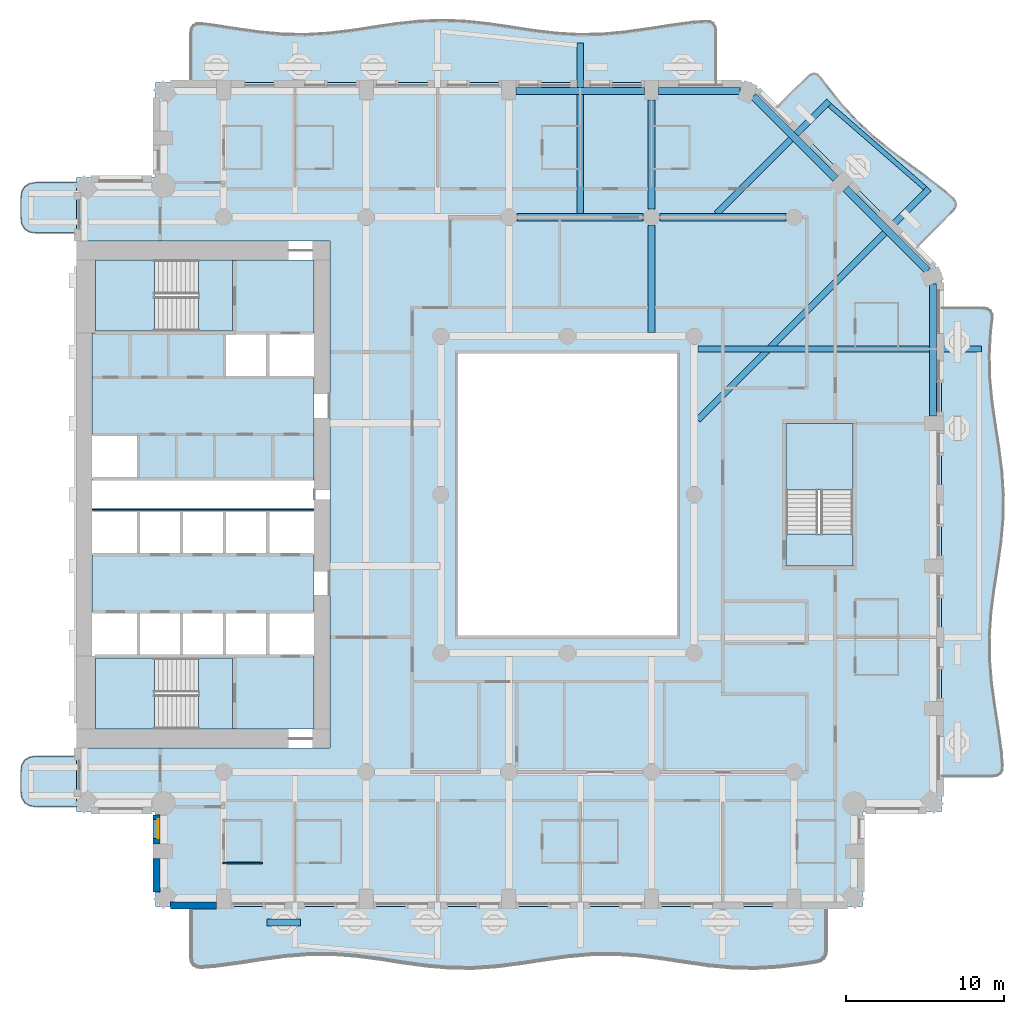
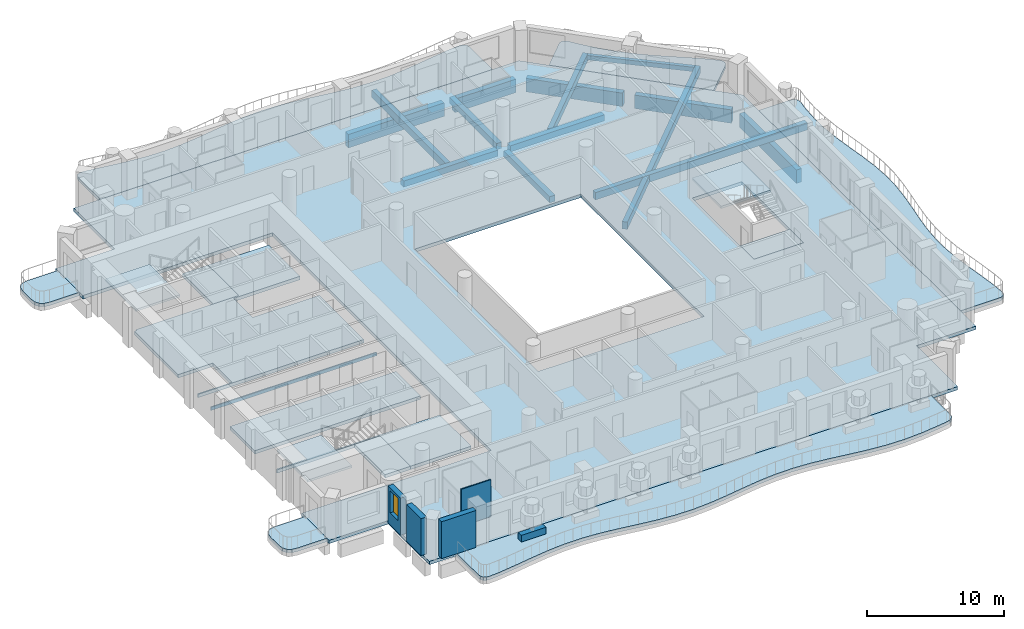
# One storey, part 2 of 20: 17 slabs, 14 beams, 5 walls, 1 window, 1 opening, 3 elements without a shape of their own.
"""IFC4 building model written with IfcOpenShell, lengths in metres."""

from ifc_helpers import new_model, si_unit, direction, frame, frame_2d, origin, origin_2d, place, context, subcontext, project, spatial, polyline, rectangle, outline, extrude, material, layer, layer_set, material_profile, profile_set, type_object, element, fill, aggregate, save


model = new_model("IFC4")

# Units and contexts
model_context = context("Model", 3, precision=1e-05, world=origin(), true_north=direction((0.0, 1.0)))
body_context = subcontext(model_context, "Body", "Model", "MODEL_VIEW")
ifc_project = project(units=[si_unit("LENGTHUNIT", "METRE"), si_unit("AREAUNIT", "SQUARE_METRE"), si_unit("VOLUMEUNIT", "CUBIC_METRE"), si_unit("PLANEANGLEUNIT", "RADIAN"), si_unit("MASSUNIT", "GRAM", prefix="KILO")], contexts=[model_context])

# Site, building, storey
site_placement = place(None, origin())
site = spatial("IfcSite", under=ifc_project, at=site_placement, CompositionType="ELEMENT")
building_placement = place(site_placement, origin())
building = spatial("IfcBuilding", under=site, at=building_placement, Name="Cypress Arch Tower", CompositionType="ELEMENT")
storey_placement = place(building_placement, frame((0.0, 0.0, 120.300048828125)))
storey = spatial("IfcBuildingStorey", under=building, at=storey_placement, Name="L25", CompositionType="ELEMENT", Elevation=120.300048828125)

# Beams
ifc_material_1 = material(Name="Concrete C50/60", Category="concrete")
ifc_material_profile_1 = material_profile(ifc_material_1, rectangle(XDim=0.300048828125, YDim=0.39990234375, at=origin_2d()), Name="RC 300x400")
ifc_profile_set_1 = profile_set([ifc_material_profile_1], Name="Concrete C50/60")
beam_type_1 = type_object("IfcBeamType", Name="Balcony edge beam RC 300x400 Concrete C50/60", PredefinedType="BEAM", material=ifc_profile_set_1)
beam_1_placement = place(storey_placement, frame((23.56689453125, 19.337646484375, -0.5), z_axis=(-0.755110430218, 0.655597619105, 0.0), x_axis=(-0.655597619105, -0.755110430218, 0.0)))
element("IfcBeam", 1, at=beam_1_placement, inside=storey, type_object=beam_type_1, Name="Balcony edge beam L25 A07", PredefinedType="BEAM", context=body_context, shape_type="SweptSolid", body=[
    extrude(rectangle(XDim=0.300048828125, YDim=0.39990234375, at=origin_2d()), origin(), (0.0, 0.0, 1.0), 7.980712890625),
])
ifc_material_2 = material(Name="Concrete C50/60", Category="concrete")
ifc_material_profile_2 = material_profile(ifc_material_2, rectangle(XDim=0.39990234375, YDim=0.64990234375, at=origin_2d()), Name="RC 400x650")
ifc_profile_set_2 = profile_set([ifc_material_profile_2], Name="Concrete C50/60")
beam_type_2 = type_object("IfcBeamType", Name="Cantilever beam RC 400x650 Concrete C50/60", PredefinedType="BEAM", material=ifc_profile_set_2)
beam_2_placement = place(storey_placement, frame((9.22509765625, 9.18798828125, -0.625), z_axis=(1.0, 0.0, 0.0), x_axis=(0.0, 1.0, 0.0)))
element("IfcBeam", 2, at=beam_2_placement, inside=storey, type_object=beam_type_2, Name="Cantilever beam L25 A06 2", PredefinedType="BEAM", context=body_context, shape_type="SweptSolid", body=[
    extrude(rectangle(XDim=0.39990234375, YDim=0.64990234375, at=origin_2d()), origin(), (0.0, 0.0, 1.0), 17.898681640625),
])
beam_3_placement = place(storey_placement, frame((9.22509765625, 4.712890625, -0.625), z_axis=(0.707106781187, 0.707106781187, 0.0), x_axis=(-0.707106781187, 0.707106781187, 0.0)))
element("IfcBeam", 3, at=beam_3_placement, inside=storey, type_object=beam_type_2, Name="Cantilever beam L25 A07 1", PredefinedType="BEAM", context=body_context, shape_type="SweptSolid", body=[
    extrude(rectangle(XDim=0.39990234375, YDim=0.64990234375, at=origin_2d()), origin(), (0.0, 0.0, 1.0), 20.632568359375),
])
beam_4_placement = place(storey_placement, frame((10.412841796875, 17.72509765625, -0.625), z_axis=(0.707106781187, 0.707106781187, 0.0), x_axis=(-0.707106781187, 0.707106781187, 0.0)))
element("IfcBeam", 4, at=beam_4_placement, inside=storey, type_object=beam_type_2, Name="Cantilever beam L25 A07 2", PredefinedType="BEAM", context=body_context, shape_type="SweptSolid", body=[
    extrude(rectangle(XDim=0.39990234375, YDim=0.64990234375, at=origin_2d()), origin(), (0.0, 0.0, 1.0), 10.030029296875),
])
beam_5_placement = place(storey_placement, frame((1.800048828125, 17.72509765625, -0.625), z_axis=(0.0, 1.0, 0.0), x_axis=(-1.0, 0.0, 0.0)))
element("IfcBeam", 5, at=beam_5_placement, inside=storey, type_object=beam_type_2, Name="Cantilever beam L25 A08 1", PredefinedType="BEAM", context=body_context, shape_type="SweptSolid", body=[
    extrude(rectangle(XDim=0.39990234375, YDim=0.64990234375, at=origin_2d()), origin(), (0.0, 0.0, 1.0), 10.780517578125),
])
ifc_material_3 = material(Name="Concrete C50/60", Category="concrete")
ifc_material_profile_3 = material_profile(ifc_material_3, rectangle(XDim=0.449951171875, YDim=0.550048828125, at=origin_2d()), Name="RC 450x550")
ifc_profile_set_3 = profile_set([ifc_material_profile_3], Name="Concrete C50/60")
beam_type_3 = type_object("IfcBeamType", Name="Floor beam RC 450x550 Concrete C50/60", PredefinedType="BEAM", material=ifc_profile_set_3)
for number, where, z_axis, x_axis, name in (
    (6, (-2.175048828125, 17.5, -0.574951171875), (1.0, 0.0, 0.0), (0.0, 1.0, 0.0), "Floor beam L25 FB017"),
    (7, (6.824951171875, 17.5, -0.574951171875), (1.0, 0.0, 0.0), (0.0, 1.0, 0.0), "Floor beam L25 FB018"),
):
    element("IfcBeam", number, at=place(storey_placement, frame(where, z_axis=z_axis, x_axis=x_axis)), inside=storey, type_object=beam_type_3, Name=name, PredefinedType="BEAM", context=body_context, shape_type="SweptSolid", body=[
        extrude(rectangle(XDim=0.449951171875, YDim=0.550048828125, at=origin_2d()), origin(), (0.0, 0.0, 1.0), 7.949951171875),
    ])
beam_6_placement = place(storey_placement, frame((6.300048828125, 10.22509765625, -0.574951171875), z_axis=(0.0, 1.0, 0.0), x_axis=(-1.0, 0.0, 0.0)))
element("IfcBeam", 8, at=beam_6_placement, inside=storey, type_object=beam_type_3, Name="Floor beam L25 FB032", PredefinedType="BEAM", context=body_context, shape_type="SweptSolid", body=[
    extrude(rectangle(XDim=0.449951171875, YDim=0.550048828125, at=origin_2d()), origin(), (0.0, 0.0, 1.0), 6.75),
])
beam_7_placement = place(storey_placement, frame((6.300048828125, 18.02490234375, -0.574951171875), z_axis=(0.0, 1.0, 0.0), x_axis=(-1.0, 0.0, 0.0)))
element("IfcBeam", 9, at=beam_7_placement, inside=storey, type_object=beam_type_3, Name="Floor beam L25 FB033", PredefinedType="BEAM", context=body_context, shape_type="SweptSolid", body=[
    extrude(rectangle(XDim=0.449951171875, YDim=0.550048828125, at=origin_2d()), origin(), (0.0, 0.0, 1.0), 6.875),
])
ifc_material_4 = material(Name="Concrete C50/60", Category="concrete")
ifc_material_profile_4 = material_profile(ifc_material_4, rectangle(XDim=0.449951171875, YDim=1.199951171875, at=origin_2d()), Name="RC 450x1200")
ifc_profile_set_4 = profile_set([ifc_material_profile_4], Name="Concrete C50/60")
beam_type_4 = type_object("IfcBeamType", Name="Spandrel beam RC 450x1200 Concrete C50/60", PredefinedType="SPANDREL", material=ifc_profile_set_4)
beam_8_placement = place(storey_placement, frame((24.074951171875, 4.949951171875, -1.550048828125), z_axis=(0.0, 1.0, 0.0), x_axis=(-1.0, 0.0, 0.0)))
element("IfcBeam", 10, at=beam_8_placement, inside=storey, type_object=beam_type_4, Name="Spandrel beam L25 BA06-3", PredefinedType="SPANDREL", context=body_context, shape_type="SweptSolid", body=[
    extrude(rectangle(XDim=0.449951171875, YDim=1.199951171875, at=origin_2d()), origin(), (0.0, 0.0, 1.0), 8.345458984375),
])
for number, where, z_axis, x_axis, name in (
    (11, (23.73046875, 14.126953125, -1.550048828125), (-0.707106781187, 0.707106781187, 0.0), (-0.707106781187, -0.707106781187, 0.0), "Spandrel beam L25 BA07-0"),
    (12, (17.91064453125, 19.947021484375, -1.550048828125), (-0.707106781187, 0.707106781187, 0.0), (-0.707106781187, -0.707106781187, 0.0), "Spandrel beam L25 BA07-1"),
):
    element("IfcBeam", number, at=place(storey_placement, frame(where, z_axis=z_axis, x_axis=x_axis)), inside=storey, type_object=beam_type_4, Name=name, PredefinedType="SPANDREL", context=body_context, shape_type="SweptSolid", body=[
        extrude(rectangle(XDim=0.449951171875, YDim=1.199951171875, at=origin_2d()), origin(), (0.0, 0.0, 1.0), 7.330810546875),
    ])
beam_9_placement = place(storey_placement, frame((11.8955078125, 25.47509765625, -1.550048828125), z_axis=(-1.0, 0.0, 0.0), x_axis=(0.0, -1.0, 0.0)))
element("IfcBeam", 13, at=beam_9_placement, inside=storey, type_object=beam_type_4, Name="Spandrel beam L25 BA08-0", PredefinedType="SPANDREL", context=body_context, shape_type="SweptSolid", body=[
    extrude(rectangle(XDim=0.449951171875, YDim=1.199951171875, at=origin_2d()), origin(), (0.0, 0.0, 1.0), 5.1455078125),
])
beam_10_placement = place(storey_placement, frame((5.85009765625, 25.47509765625, -1.550048828125), z_axis=(-1.0, 0.0, 0.0), x_axis=(0.0, -1.0, 0.0)))
element("IfcBeam", 14, at=beam_10_placement, inside=storey, type_object=beam_type_4, Name="Spandrel beam L25 BA08-1", PredefinedType="SPANDREL", context=body_context, shape_type="SweptSolid", body=[
    extrude(rectangle(XDim=0.449951171875, YDim=1.199951171875, at=origin_2d()), origin(), (0.0, 0.0, 1.0), 8.10009765625),
])

# Slabs
ifc_material_5 = material(Name="Concrete C40/50", Category="concrete")
ifc_layer_1 = layer(ifc_material_5, 0.300048828125)
ifc_layer_set_1 = layer_set([ifc_layer_1], Name="Balcony slab BS300")
slab_type_1 = type_object("IfcSlabType", Name="Balcony slab BS300", PredefinedType="USERDEFINED", material=ifc_layer_set_1)
slab_1_placement = place(storey_placement, frame((0.0, 0.0, -0.300048828125)))
element("IfcSlab", 15, at=slab_1_placement, inside=storey, type_object=slab_type_1, Name="Balcony slab L25-A00W0", ObjectType="BALCONY SLAB", PredefinedType="USERDEFINED", context=body_context, shape_type="SweptSolid", body=[
    extrude(outline(polyline([(-30.0, 19.699951171875), (-32.5, 19.699951171875), (-32.9375, 19.637451171875), (-33.25, 19.449951171875), (-33.4375, 19.137451171875), (-33.5, 18.699951171875), (-33.5, 17.5), (-33.4375, 17.0625), (-33.25, 16.75), (-32.9375, 16.5625), (-32.5, 16.5), (-30.0, 16.5), (-30.0, 19.699951171875)])), origin(), (0.0, 0.0, 1.0), 0.300048828125),
])
slab_2_placement = place(storey_placement, frame((0.0, 0.0, -0.300048828125)))
element("IfcSlab", 16, at=slab_2_placement, inside=storey, type_object=slab_type_1, Name="Balcony slab L25-A00W1", ObjectType="BALCONY SLAB", PredefinedType="USERDEFINED", context=body_context, shape_type="SweptSolid", body=[
    extrude(outline(polyline([(-30.0, -16.5), (-32.5, -16.5), (-32.9375, -16.5625), (-33.25, -16.75), (-33.4375, -17.0625), (-33.5, -17.5), (-33.5, -18.699951171875), (-33.4375, -19.137451171875), (-33.25, -19.449951171875), (-32.9375, -19.637451171875), (-32.5, -19.699951171875), (-30.0, -19.699951171875), (-30.0, -16.5)])), origin(), (0.0, 0.0, 1.0), 0.300048828125),
])
slab_3_placement = place(storey_placement, frame((0.0, 0.0, -0.300048828125)))
element("IfcSlab", 17, at=slab_3_placement, inside=storey, type_object=slab_type_1, Name="Balcony slab L25-A03", ObjectType="BALCONY SLAB", PredefinedType="USERDEFINED", context=body_context, shape_type="SweptSolid", body=[
    extrude(outline(polyline([(-22.75, -26.0), (-22.75, -29.21435546875), (-22.708251953125, -29.50439453125), (-22.5830078125, -29.7041015625), (-22.3740234375, -29.813720703125), (-22.081787109375, -29.8330078125), (-21.264892578125, -29.769775390625), (-19.779541015625, -29.571044921875), (-18.29443359375, -29.34033203125), (-16.809326171875, -29.138427734375), (-15.323974609375, -29.0185546875), (-13.8388671875, -29.011962890625), (-12.353759765625, -29.12060546875), (-10.868408203125, -29.315673828125), (-9.38330078125, -29.546142578125), (-7.898193359375, -29.751220703125), (-6.412841796875, -29.87744140625), (-4.927734375, -29.89111328125), (-3.442626953125, -29.788818359375), (-1.95751953125, -29.59765625), (-0.47216796875, -29.36767578125), (1.012939453125, -29.1591796875), (2.498046875, -29.02734375), (3.9833984375, -29.00634765625), (5.468505859375, -29.10205078125), (6.95361328125, -29.289306640625), (8.43896484375, -29.5185546875), (9.924072265625, -29.72998046875), (11.4091796875, -29.86767578125), (12.89453125, -29.895751953125), (14.379638671875, -29.806640625), (15.86474609375, -29.623779296875), (16.681640625, -29.498046875), (16.97412109375, -29.41064453125), (17.182861328125, -29.251708984375), (17.308349609375, -29.021240234375), (17.35009765625, -28.718994140625), (17.35009765625, -26.0), (-22.75, -26.0)])), origin(), (0.0, 0.0, 1.0), 0.300048828125),
])
slab_4_placement = place(storey_placement, frame((0.0, 0.0, -0.300048828125)))
element("IfcSlab", 18, at=slab_4_placement, inside=storey, type_object=slab_type_1, Name="Balcony slab L25-A06", ObjectType="BALCONY SLAB", PredefinedType="USERDEFINED", context=body_context, shape_type="SweptSolid", body=[
    extrude(outline(polyline([(24.60009765625, -17.75), (27.81884765625, -17.75), (28.10693359375, -17.70849609375), (28.305419921875, -17.583984375), (28.414306640625, -17.376708984375), (28.43359375, -17.086181640625), (28.370849609375, -16.27490234375), (28.174072265625, -14.800048828125), (27.945068359375, -13.324951171875), (27.7431640625, -11.85009765625), (27.620849609375, -10.375), (27.60986328125, -8.89990234375), (27.712890625, -7.425048828125), (27.903564453125, -5.949951171875), (28.132080078125, -4.47509765625), (28.33935546875, -3.0), (28.471435546875, -1.52490234375), (28.494384765625, -0.050048828125), (28.402099609375, 1.425048828125), (28.218505859375, 2.89990234375), (27.9912109375, 4.375), (27.779296875, 5.85009765625), (27.63720703125, 7.324951171875), (27.6025390625, 8.800048828125), (27.68359375, 10.27490234375), (27.780517578125, 11.086181640625), (27.7734375, 11.376708984375), (27.6728515625, 11.583984375), (27.478759765625, 11.70849609375), (27.19140625, 11.75), (24.60009765625, 11.75), (24.60009765625, -17.75)])), origin(), (0.0, 0.0, 1.0), 0.300048828125),
])
slab_5_placement = place(storey_placement, frame((0.0, 0.0, -0.300048828125)))
element("IfcSlab", 19, at=slab_5_placement, inside=storey, type_object=slab_type_1, Name="Balcony slab L25-A07", ObjectType="BALCONY SLAB", PredefinedType="USERDEFINED", context=body_context, shape_type="SweptSolid", body=[
    extrude(outline(polyline([(23.009033203125, 15.591064453125), (25.313720703125, 17.895751953125), (25.4775390625, 18.11474609375), (25.52685546875, 18.329345703125), (25.461669921875, 18.53955078125), (25.281982421875, 18.74560546875), (24.70263671875, 19.244140625), (23.595458984375, 20.0966796875), (22.464111328125, 20.9248046875), (21.343017578125, 21.76318359375), (20.2646484375, 22.64453125), (19.251708984375, 23.591064453125), (18.311767578125, 24.610595703125), (17.435546875, 25.694091796875), (16.975830078125, 26.31201171875), (16.783203125, 26.50537109375), (16.582275390625, 26.579833984375), (16.372314453125, 26.535400390625), (16.15380859375, 26.371826171875), (14.19091796875, 24.408935546875), (23.009033203125, 15.591064453125)])), origin(), (0.0, 0.0, 1.0), 0.300048828125),
])
slab_6_placement = place(storey_placement, frame((0.0, 0.0, -0.300048828125)))
element("IfcSlab", 20, at=slab_6_placement, inside=storey, type_object=slab_type_1, Name="Balcony slab L25-A08", ObjectType="BALCONY SLAB", PredefinedType="USERDEFINED", context=body_context, shape_type="SweptSolid", body=[
    extrude(outline(polyline([(10.35009765625, 26.0), (10.35009765625, 29.235107421875), (10.3095703125, 29.516357421875), (10.18798828125, 29.7099609375), (9.98583984375, 29.81640625), (9.702392578125, 29.835205078125), (8.910888671875, 29.77490234375), (7.4716796875, 29.584716796875), (6.03271484375, 29.361572265625), (4.593505859375, 29.159912109375), (3.154296875, 29.030029296875), (1.71533203125, 29.004150390625), (0.276123046875, 29.088134765625), (-1.1630859375, 29.26171875), (-2.602294921875, 29.481689453125), (-4.041259765625, 29.69384765625), (-5.48046875, 29.845947265625), (-6.919677734375, 29.89990234375), (-8.358642578125, 29.843017578125), (-9.7978515625, 29.688720703125), (-11.237060546875, 29.4755859375), (-12.676025390625, 29.256103515625), (-14.115234375, 29.08447265625), (-15.554443359375, 29.003173828125), (-16.993408203125, 29.032470703125), (-18.4326171875, 29.164794921875), (-19.871826171875, 29.367431640625), (-21.310791015625, 29.590576171875), (-22.102294921875, 29.6943359375), (-22.3857421875, 29.690673828125), (-22.588134765625, 29.5947265625), (-22.70947265625, 29.406494140625), (-22.75, 29.1259765625), (-22.75, 26.0), (10.35009765625, 26.0)])), origin(), (0.0, 0.0, 1.0), 0.300048828125),
])
ifc_material_6 = material(Name="Concrete C40/50", Category="concrete")
ifc_layer_2 = layer(ifc_material_6, 0.300048828125)
ifc_layer_set_2 = layer_set([ifc_layer_2], Name="Core floor CF300")
slab_type_2 = type_object("IfcSlabType", Name="Core floor CF300", PredefinedType="FLOOR", material=ifc_layer_set_2)
slab_7_placement = place(storey_placement, frame((0.0, 0.0, -0.300048828125)))
element("IfcSlab", 21, at=slab_7_placement, inside=storey, type_object=slab_type_2, Name="Core floor", PredefinedType="FLOOR", context=body_context, shape_type="SweptSolid", body=[
    extrude(outline(polyline([(-20.125, -14.800048828125), (-15.0, -14.800048828125), (-15.0, -10.199951171875), (-17.919921875, -10.199951171875), (-20.639892578125, -10.199951171875), (-23.360107421875, -10.199951171875), (-26.080078125, -10.199951171875), (-28.800048828125, -10.199951171875), (-28.800048828125, -10.324951171875), (-22.27490234375, -10.324951171875), (-20.125, -10.324951171875), (-20.125, -14.800048828125)])), origin(), (0.0, 0.0, 1.0), 0.300048828125),
])
slab_8_placement = place(storey_placement, frame((0.0, 0.0, -0.300048828125)))
element("IfcSlab", 22, at=slab_8_placement, inside=storey, type_object=slab_type_2, Name="Core floor", PredefinedType="FLOOR", context=body_context, shape_type="SweptSolid", body=[
    extrude(outline(polyline([(-29.0, -3.800048828125), (-29.0, -7.39990234375), (-26.080078125, -7.39990234375), (-23.360107421875, -7.39990234375), (-20.639892578125, -7.39990234375), (-17.919921875, -7.39990234375), (-15.0, -7.39990234375), (-15.0, -3.800048828125), (-17.919921875, -3.800048828125), (-20.639892578125, -3.800048828125), (-23.360107421875, -3.800048828125), (-26.080078125, -3.800048828125), (-29.0, -3.800048828125)])), origin(), (0.0, 0.0, 1.0), 0.300048828125),
])
slab_9_placement = place(storey_placement, frame((0.0, 0.0, -0.300048828125)))
element("IfcSlab", 23, at=slab_9_placement, inside=storey, type_object=slab_type_2, Name="Core floor", PredefinedType="FLOOR", context=body_context, shape_type="SweptSolid", body=[
    extrude(outline(polyline([(-29.0, 3.800048828125), (-29.0, 10.199951171875), (-28.800048828125, 10.199951171875), (-28.800048828125, 10.324951171875), (-28.60009765625, 10.324951171875), (-22.27490234375, 10.324951171875), (-20.125, 10.324951171875), (-20.125, 14.800048828125), (-15.39990234375, 14.800048828125), (-15.0, 14.800048828125), (-15.0, 10.199951171875), (-15.39990234375, 10.199951171875), (-17.919921875, 10.199951171875), (-20.639892578125, 10.199951171875), (-20.639892578125, 7.39990234375), (-17.919921875, 7.39990234375), (-15.39990234375, 7.39990234375), (-15.0, 7.39990234375), (-15.0, 0.89990234375), (-28.60009765625, 0.89990234375), (-29.0, 0.89990234375), (-29.0, 1.0), (-28.60009765625, 1.0), (-26.080078125, 1.0), (-26.080078125, 3.800048828125), (-28.60009765625, 3.800048828125), (-29.0, 3.800048828125)])), origin(), (0.0, 0.0, 1.0), 0.300048828125),
])
slab_10_placement = place(storey_placement, frame((0.0, 0.0, -0.300048828125)))
element("IfcSlab", 24, at=slab_10_placement, inside=storey, type_object=slab_type_2, Name="Core floor", PredefinedType="FLOOR", context=body_context, shape_type="SweptSolid", body=[
    extrude(outline(polyline([(-22.27490234375, -10.324951171875), (-22.27490234375, -14.800048828125), (-20.125, -14.800048828125), (-20.125, -10.324951171875), (-22.27490234375, -10.324951171875)])), origin(), (0.0, 0.0, 1.0), 0.300048828125),
])
slab_11_placement = place(storey_placement, frame((0.0, 0.0, -0.300048828125)))
element("IfcSlab", 25, at=slab_11_placement, inside=storey, type_object=slab_type_2, Name="Core floor", PredefinedType="FLOOR", context=body_context, shape_type="SweptSolid", body=[
    extrude(outline(polyline([(-20.125, 14.800048828125), (-22.27490234375, 14.800048828125), (-22.27490234375, 10.324951171875), (-20.125, 10.324951171875), (-20.125, 14.800048828125)])), origin(), (0.0, 0.0, 1.0), 0.300048828125),
])
slab_12_placement = place(storey_placement, frame((0.0, 0.0, -0.300048828125)))
element("IfcSlab", 26, at=slab_12_placement, inside=storey, type_object=slab_type_2, Name="Stair floor landing", PredefinedType="FLOOR", context=body_context, shape_type="SweptSolid", body=[
    extrude(outline(polyline([(19.0, -4.5), (19.0, -2.5), (14.800048828125, -2.5), (14.800048828125, -4.5), (19.0, -4.5)])), origin(), (0.0, 0.0, 1.0), 0.300048828125),
])
slab_13_placement = place(storey_placement, frame((0.0, 0.0, -0.300048828125)))
element("IfcSlab", 27, at=slab_13_placement, inside=storey, type_object=slab_type_2, Name="Core floor", PredefinedType="FLOOR", context=body_context, shape_type="SweptSolid", body=[
    extrude(outline(polyline([(-20.639892578125, -1.0), (-23.360107421875, -1.0), (-26.080078125, -1.0), (-28.60009765625, -1.0), (-29.0, -1.0), (-29.0, -0.89990234375), (-28.60009765625, -0.89990234375), (-15.39990234375, -0.89990234375), (-15.0, -0.89990234375), (-15.0, -1.0), (-15.39990234375, -1.0), (-17.919921875, -1.0), (-20.639892578125, -1.0)])), origin(), (0.0, 0.0, 1.0), 0.300048828125),
])
ifc_material_7 = material(Name="Concrete C40/50", Category="concrete")
ifc_layer_3 = layer(ifc_material_7, 0.300048828125)
ifc_layer_set_3 = layer_set([ifc_layer_3], Name="PT flat slab 300 Concrete C40/50")
slab_type_3 = type_object("IfcSlabType", Name="PT flat slab 300 Concrete C40/50", PredefinedType="FLOOR", material=ifc_layer_set_3)
slab_14_placement = place(storey_placement, frame((0.0, 0.0, -0.300048828125)))
element("IfcSlab", 28, at=slab_14_placement, inside=storey, type_object=slab_type_3, Name="Floor slab L25", PredefinedType="FLOOR", context=body_context, shape_type="SweptSolid", body=[
    extrude(outline(polyline([(-30.0, 20.0), (-25.0, 20.0), (-25.0, 26.0), (12.60009765625, 26.0), (24.60009765625, 14.0), (24.60009765625, -20.0), (19.60009765625, -20.0), (19.60009765625, -26.0), (-25.0, -26.0), (-25.0, -20.0), (-30.0, -20.0), (-30.0, -16.0), (-14.0, -16.0), (-14.0, 16.0), (-30.0, 16.0), (-30.0, 20.0)]), holes=[polyline([(-6.0, -9.0), (8.0, -9.0), (8.0, 9.0), (-6.0, 9.0), (-6.0, -9.0)]), polyline([(14.800048828125, -4.5), (19.0, -4.5), (19.0, 4.5), (14.800048828125, 4.5), (14.800048828125, -4.5)])]), origin(), (0.0, 0.0, 1.0), 0.300048828125),
])

# Stair, slab
ifc_material_8 = material(Name="Concrete C40/50", Category="concrete")
stair_type_1 = type_object("IfcStairType", Name="Exit stair ES1636-215", PredefinedType="HALF_TURN_STAIR", material=ifc_material_8)
stair_1_placement = place(storey_placement, origin())
stair_1 = element("IfcStair", 29, at=stair_1_placement, inside=storey, type_object=stair_type_1, Name="L25 Exit stair A", PredefinedType="HALF_TURN_STAIR")
ifc_material_9 = material(Name="Concrete C40/50", Category="concrete")
ifc_layer_4 = layer(ifc_material_9, 0.199951171875)
ifc_layer_set_4 = layer_set([ifc_layer_4], Name="Stair landing SL200")
slab_type_4 = type_object("IfcSlabType", Name="Stair landing SL200", PredefinedType="LANDING", material=ifc_layer_set_4)
slab_15_placement = place(storey_placement, frame((0.0, 0.0, 1.599853515625)))
slab_15 = element("IfcSlab", 30, at=slab_15_placement, type_object=slab_type_4, Name="A landing 1", PredefinedType="LANDING", context=body_context, shape_type="SweptSolid", body=[
    extrude(outline(polyline([(-25.074951171875, -10.324951171875), (-28.800048828125, -10.324951171875), (-28.800048828125, -14.800048828125), (-25.074951171875, -14.800048828125), (-25.074951171875, -10.324951171875)])), origin(), (0.0, 0.0, 1.0), 0.2001953125),
])
aggregate(stair_1, [slab_15])

stair_2_placement = place(storey_placement, origin())
stair_2 = element("IfcStair", 31, at=stair_2_placement, inside=storey, type_object=stair_type_1, Name="L25 Exit stair B", PredefinedType="HALF_TURN_STAIR")
slab_16_placement = place(storey_placement, frame((0.0, 0.0, 1.599853515625)))
slab_16 = element("IfcSlab", 32, at=slab_16_placement, type_object=slab_type_4, Name="B landing 1", PredefinedType="LANDING", context=body_context, shape_type="SweptSolid", body=[
    extrude(outline(polyline([(-25.074951171875, 14.800048828125), (-28.800048828125, 14.800048828125), (-28.800048828125, 10.324951171875), (-25.074951171875, 10.324951171875), (-25.074951171875, 14.800048828125)])), origin(), (0.0, 0.0, 1.0), 0.2001953125),
])
aggregate(stair_2, [slab_16])

ifc_material_10 = material(Name="Concrete C40/50", Category="concrete")
stair_type_2 = type_object("IfcStairType", Name="Exit stair ES1636-200", PredefinedType="HALF_TURN_STAIR", material=ifc_material_10)
stair_3_placement = place(storey_placement, origin())
stair_3 = element("IfcStair", 33, at=stair_3_placement, inside=storey, type_object=stair_type_2, Name="L25 Exit stair C", PredefinedType="HALF_TURN_STAIR")
slab_17_placement = place(storey_placement, frame((0.0, 0.0, 1.599853515625)))
slab_17 = element("IfcSlab", 34, at=slab_17_placement, type_object=slab_type_4, Name="C landing 1", PredefinedType="LANDING", context=body_context, shape_type="SweptSolid", body=[
    extrude(outline(polyline([(19.0, 0.300048828125), (19.0, 4.5), (14.800048828125, 4.5), (14.800048828125, 0.300048828125), (19.0, 0.300048828125)])), origin(), (0.0, 0.0, 1.0), 0.2001953125),
])
aggregate(stair_3, [slab_17])

# Wall
ifc_material_11 = material(Name="Concrete C40/50, waterproofed", Category="concrete")
ifc_layer_5 = layer(ifc_material_11, 0.449951171875)
ifc_layer_set_5 = layer_set([ifc_layer_5], Name="Balcony planter wall PW450")
wall_type_1 = type_object("IfcWallType", Name="Balcony planter wall PW450", PredefinedType="SOLIDWALL", material=ifc_layer_set_5)
wall_1_placement = place(storey_placement, frame((-17.949951171875, -27.0, 0.0), z_axis=(0.0, 0.0, 1.0), x_axis=(1.0, 0.0, 0.0)))
element("IfcWall", 35, at=wall_1_placement, inside=storey, type_object=wall_type_1, Name="Balcony planter wall L25-A03.1", PredefinedType="SOLIDWALL", context=body_context, shape_type="SweptSolid", body=[
    extrude(rectangle(XDim=2.099853515625, YDim=0.449951171875, at=frame_2d((1.0498046875, 0.0))), origin(), (0.0, 0.0, 1.0), 0.599853515625),
])

# Wall, opening, window
ifc_material_12 = material(Name="Brick (red buff blend)", Category="masonry")
ifc_layer_6 = layer(ifc_material_12, 0.449951171875)
ifc_layer_set_6 = layer_set([ifc_layer_6], Name="Brick pier and spandrel wall BW450")
wall_type_2 = type_object("IfcWallType", Name="Brick pier and spandrel wall BW450", PredefinedType="SOLIDWALL", material=ifc_layer_set_6)
wall_2_placement = place(storey_placement, frame((-24.925048828125, -20.20703125, 0.0), z_axis=(0.0, 0.0, 1.0), x_axis=(0.0, -1.0, 0.0)))
wall_2 = element("IfcWall", 36, at=wall_2_placement, inside=storey, type_object=wall_type_2, Name="Brick wall L25 A02.0", PredefinedType="SOLIDWALL", context=body_context, shape_type="SweptSolid", body=[
    extrude(rectangle(XDim=1.843017578125, YDim=0.449951171875, at=frame_2d((0.92138671875, 0.0))), origin(), (0.0, 0.0, 1.0), 3.300048828125),
])
opening_placement = place(wall_2_placement, frame((0.29296875, 0.0, 1.050048828125)))
opening = element("IfcOpeningElement", 37, at=opening_placement, cuts=wall_2, Name="Opening W120H", PredefinedType="OPENING", context=body_context, shape_type="SweptSolid", body=[
    extrude(rectangle(XDim=1.199951171875, YDim=2.0, at=frame_2d((0.60009765625, 1.0))), frame((0.0, 0.23486328125, 0.0), z_axis=(0.0, -1.0, 0.0), x_axis=(1.0, 0.0, 0.0)), (0.0, 0.0, 1.0), 0.469970703125),
])
ifc_material_13 = material(Name="Anodised aluminium, bronze finish, clear low-emissivity double glazing", Category="aluminium")
window_type = type_object("IfcWindowType", Name="Window Hotel 1200x2000", PartitioningType="SINGLE_PANEL", PredefinedType="WINDOW", material=ifc_material_13)
window_placement = place(opening_placement, origin())
window = element("IfcWindow", 38, at=window_placement, inside=storey, type_object=window_type, Name="Window L25 A02.0.1", OverallHeight=2.0, OverallWidth=1.199951171875, PartitioningType="SINGLE_PANEL", PredefinedType="WINDOW", context=body_context, shape_type="SweptSolid", body=[
    extrude(rectangle(XDim=1.199951171875, YDim=2.0, at=frame_2d((0.60009765625, 1.0))), frame((0.0, 0.135009765625, 0.0), z_axis=(0.0, -1.0, 0.0), x_axis=(1.0, 0.0, 0.0)), (0.0, 0.0, 1.0), 0.06005859375),
])
fill(opening, window)

# Walls
wall_3_placement = place(storey_placement, frame((-24.925048828125, -22.949951171875, 0.0), z_axis=(0.0, 0.0, 1.0), x_axis=(0.0, -1.0, 0.0)))
element("IfcWall", 39, at=wall_3_placement, inside=storey, type_object=wall_type_2, Name="Brick wall L25 A02.1", PredefinedType="SOLIDWALL", context=body_context, shape_type="SweptSolid", body=[
    extrude(rectangle(XDim=2.11376953125, YDim=0.449951171875, at=frame_2d((1.056884765625, 0.0))), origin(), (0.0, 0.0, 1.0), 3.300048828125),
])
wall_4_placement = place(storey_placement, frame((-24.063720703125, -25.925048828125, 0.0), z_axis=(0.0, 0.0, 1.0), x_axis=(1.0, 0.0, 0.0)))
element("IfcWall", 40, at=wall_4_placement, inside=storey, type_object=wall_type_2, Name="Brick wall L25 A03.0", PredefinedType="SOLIDWALL", context=body_context, shape_type="SweptSolid", body=[
    extrude(rectangle(XDim=2.913818359375, YDim=0.449951171875, at=frame_2d((1.45703125, 0.0))), origin(), (0.0, 0.0, 1.0), 3.300048828125),
])
ifc_material_14 = material(Name="Moisture resistant board on steel studs, tiled", Category="steel")
ifc_layer_7 = layer(ifc_material_14, 0.10009765625)
ifc_layer_set_7 = layer_set([ifc_layer_7], Name="Wet wall PW100")
wall_type_3 = type_object("IfcWallType", Name="Wet wall PW100", PredefinedType="PARTITIONING", material=ifc_layer_set_7)
wall_5_placement = place(storey_placement, frame((-20.75, -23.25, 0.0), z_axis=(0.0, 0.0, 1.0), x_axis=(1.0, 0.0, 0.0)))
element("IfcWall", 41, at=wall_5_placement, inside=storey, type_object=wall_type_3, Name="Wet wall", PredefinedType="PARTITIONING", context=body_context, shape_type="SweptSolid", body=[
    extrude(rectangle(XDim=2.5, YDim=0.10009765625, at=frame_2d((1.25, 0.0))), origin(), (0.0, 0.0, 1.0), 3.300048828125),
])

save(model, "model.ifc")
